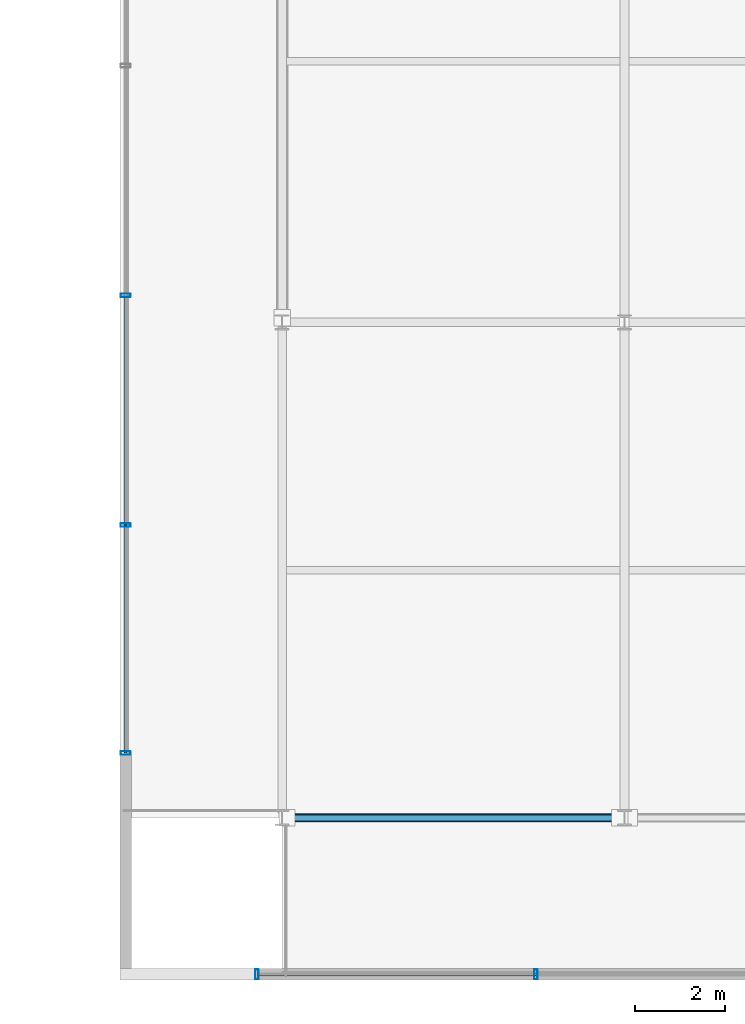
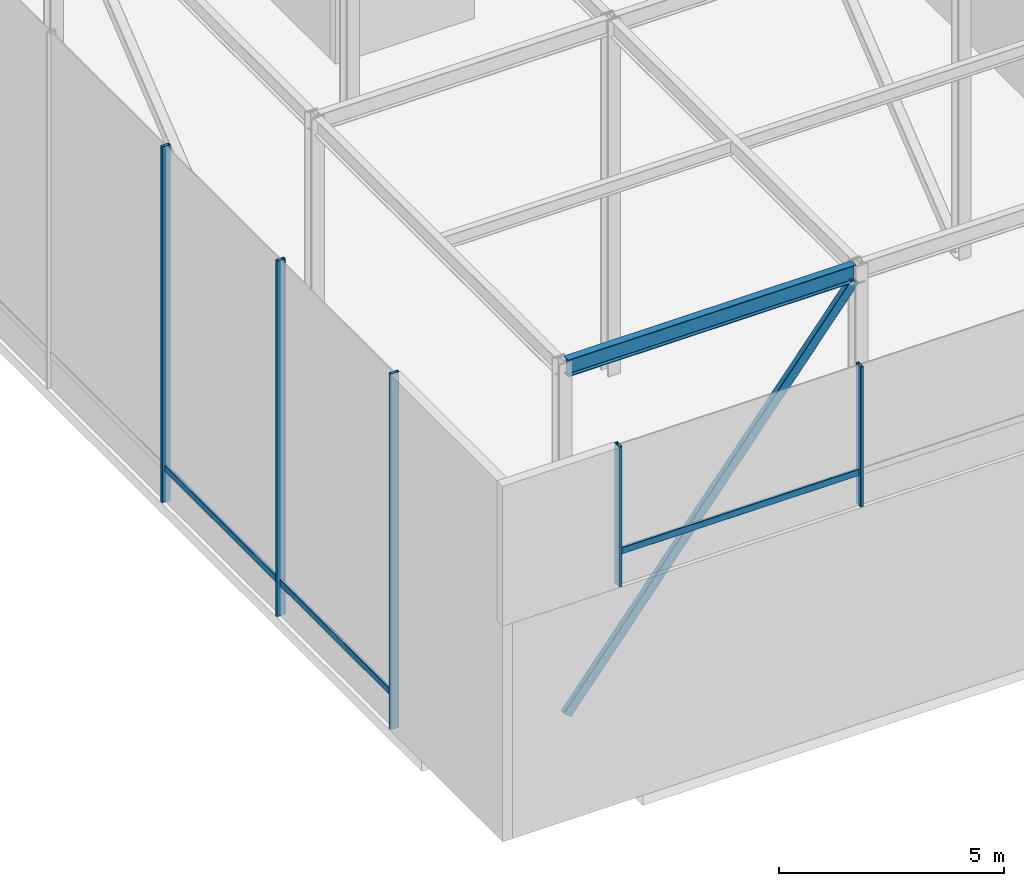
# One storey, part 6 of 42: 9 members, 1 beam, 2 elements without a shape of their own.
"""IFC4 building model written with IfcOpenShell, lengths in metres."""

import ifcopenshell
import ifcopenshell.guid

model = None  # the IFC model being written
_history = None  # IfcOwnerHistory: only IFC2X3 demands one
_inside = {}  # id of a spatial element -> (the spatial element, [elements in it])
_under = {}  # id of a project, library or spatial element -> (it, [spatial elements below it])
_declared = {}  # id of a project -> (the project, [libraries it declares])
_typed = {}  # id of a type object -> (the type object, [elements of that type])
_made_of = {}  # id of a material, layer set ... -> (it, [elements and type objects made of it])


def new_model(schema):
    """Start an empty IFC model of exactly this schema.

    Asked for "IFC4X3", IfcOpenShell would pick the latest addendum, in which some entities
    have other attributes; the version numbers below select the first issue.
    IFC2X3 requires an IfcOwnerHistory on every rooted entity: one is made here for all.
    """
    global model, _history
    if schema == "IFC4X3":
        model = ifcopenshell.file(schema_version=(4, 3, 0, 0))
    else:
        model = ifcopenshell.file(schema=schema)
    _inside.clear()
    _under.clear()
    _declared.clear()
    _typed.clear()
    _made_of.clear()
    _history = None
    if model.schema == "IFC2X3":
        org = make("IfcOrganization", Name="unknown")
        user = make(
            "IfcPersonAndOrganization",
            ThePerson=make("IfcPerson", FamilyName="unknown"),
            TheOrganization=org,
        )
        app = make(
            "IfcApplication",
            ApplicationDeveloper=org,
            Version="unknown",
            ApplicationFullName="unknown",
            ApplicationIdentifier="unknown",
        )
        _history = make(
            "IfcOwnerHistory",
            OwningUser=user,
            OwningApplication=app,
            ChangeAction="ADDED",
            CreationDate=0,
        )
    return model


def make(cls, **values):
    """One entity of the class cls with the attributes given. An attribute that is None is left unset."""
    return model.create_entity(
        cls, **{name: value for name, value in values.items() if value is not None}
    )


def rooted(cls, **values):
    """An entity with a GlobalId (a new one), such as an element, a storey or a relation."""
    return make(cls, GlobalId=ifcopenshell.guid.new(), OwnerHistory=_history, **values)


def si_unit(unit_type, name, prefix=None):
    """IfcSIUnit, for example si_unit("LENGTHUNIT", "METRE", prefix="MILLI")."""
    return make("IfcSIUnit", UnitType=unit_type, Prefix=prefix, Name=name)


def assignment(units):
    """IfcUnitAssignment: the units of a project."""
    return None if units is None else make("IfcUnitAssignment", Units=units)


def point(xyz):
    """IfcCartesianPoint."""
    return None if xyz is None else make("IfcCartesianPoint", Coordinates=xyz)


def direction(xyz):
    """IfcDirection."""
    return None if xyz is None else make("IfcDirection", DirectionRatios=xyz)


def frame(location, z_axis=None, x_axis=None):
    """IfcAxis2Placement3D, a coordinate frame: its origin and axes. An axis left out is left unset."""
    return make(
        "IfcAxis2Placement3D",
        Location=point(location),
        Axis=direction(z_axis),
        RefDirection=direction(x_axis),
    )


def frame_2d(location, x_axis=None):
    """IfcAxis2Placement2D, a coordinate frame in the plane: its origin and x axis."""
    return make(
        "IfcAxis2Placement2D", Location=point(location), RefDirection=direction(x_axis)
    )


def origin():
    """The frame at (0, 0, 0) with its axes left unset."""
    return frame((0.0, 0.0, 0.0))


def origin_2d():
    """The frame at (0, 0) in the plane with its x axis left unset."""
    return frame_2d((0.0, 0.0))


def place(relative_to, where):
    """IfcLocalPlacement: puts the frame where relative to a parent placement (None: the world)."""
    return make(
        "IfcLocalPlacement", PlacementRelTo=relative_to, RelativePlacement=where
    )


def context(
    kind, dimensions, precision=None, world=None, true_north=None, identifier=None
):
    """IfcGeometricRepresentationContext, for example the 3D "Model" context."""
    return make(
        "IfcGeometricRepresentationContext",
        ContextIdentifier=identifier,
        ContextType=kind,
        CoordinateSpaceDimension=dimensions,
        Precision=precision,
        WorldCoordinateSystem=world,
        TrueNorth=true_north,
    )


def subcontext(parent, identifier, kind, view, scale=None):
    """IfcGeometricRepresentationSubContext, for example "Body" below "Model"."""
    return make(
        "IfcGeometricRepresentationSubContext",
        ContextIdentifier=identifier,
        ContextType=kind,
        ParentContext=parent,
        TargetScale=scale,
        TargetView=view,
    )


def project(units=None, contexts=None):
    """IfcProject with its units and contexts."""
    return rooted(
        "IfcProject",
        Name="project",
        RepresentationContexts=contexts,
        UnitsInContext=assignment(units),
    )


def spatial(cls, under=None, at=None, **own):
    """A site, building, storey or space (cls), placed at a placement, below another one or the project."""
    s = rooted(cls, ObjectPlacement=at, **own)
    if under is not None:
        _under.setdefault(under.id(), (under, []))[1].append(s)
    return s


def profile(cls, at=None, kind="AREA", **sizes):
    """A parametric profile (cls). Its sizes go by their IFC names, for example OverallWidth=200.0."""
    return make(cls, ProfileType=kind, Position=at, **sizes)


def hollow_rectangle(**sizes):
    """IfcRectangleHollowProfileDef."""
    return profile("IfcRectangleHollowProfileDef", **sizes)


def i_section(**sizes):
    """IfcIShapeProfileDef."""
    return profile("IfcIShapeProfileDef", **sizes)


def extrude(swept, where, along, depth):
    """IfcExtrudedAreaSolid: the profile swept, set in the frame where, extruded along a direction by depth."""
    return make(
        "IfcExtrudedAreaSolid",
        SweptArea=swept,
        Position=where,
        ExtrudedDirection=direction(along),
        Depth=depth,
    )


def shape(context_of_items, identifier, shape_type, items):
    """IfcShapeRepresentation: the items that make up one representation, for example the "Body"."""
    return make(
        "IfcShapeRepresentation",
        ContextOfItems=context_of_items,
        RepresentationIdentifier=identifier,
        RepresentationType=shape_type,
        Items=items,
    )


def material(Name=None, Category=None):
    """IfcMaterial."""
    return make("IfcMaterial", Name=Name, Category=Category)


def layer(
    of_material, thickness, ventilated=None, Name=None, Category=None, Priority=None
):
    """IfcMaterialLayer: one layer of a wall or slab, of a material (None: an air gap)."""
    return make(
        "IfcMaterialLayer",
        Material=of_material,
        LayerThickness=thickness,
        IsVentilated=ventilated,
        Name=Name,
        Category=Category,
        Priority=Priority,
    )


def layer_set(layers, Name=None):
    """IfcMaterialLayerSet."""
    return make("IfcMaterialLayerSet", MaterialLayers=layers, LayerSetName=Name)


def material_profile(
    of_material, cross_section, Name=None, Category=None, Priority=None
):
    """IfcMaterialProfile: a cross section and its material."""
    return make(
        "IfcMaterialProfile",
        Name=Name,
        Material=of_material,
        Profile=cross_section,
        Priority=Priority,
        Category=Category,
    )


def profile_set(profiles, Name=None, composite=None):
    """IfcMaterialProfileSet."""
    return make(
        "IfcMaterialProfileSet",
        Name=Name,
        MaterialProfiles=profiles,
        CompositeProfile=composite,
    )


def made_of(thing, what):
    """Note that an element or type object is made of a material, layer set ...; save() writes the relation."""
    if what is not None:
        _made_of.setdefault(what.id(), (what, []))[1].append(thing)
    return thing


def type_object(cls, material=None, **own):
    """A type object (cls), such as IfcWallType, which elements share."""
    return made_of(rooted(cls, **own), material)


def element(
    cls,
    number,
    at=None,
    inside=None,
    cuts=None,
    type_object=None,
    material=None,
    context=None,
    identifier="Body",
    shape_type=None,
    held_by="IfcProductDefinitionShape",
    body=None,
    shapes=None,
    **own,
):
    """One element of the class cls, such as IfcWall. Its Tag is "e" and its number.

    at: its placement. inside: the storey or other place that contains it. cuts: it is an
    opening in that element (IfcRelVoidsElement). A single representation is given by context,
    identifier, shape_type and body (its items); several are given by shapes. held_by: the class
    of the entity that holds the representations. save() writes the other relations.
    """
    e = rooted(cls, Tag="e%d" % number, ObjectPlacement=at, **own)
    if body is not None:
        shapes = [shape(context, identifier, shape_type, body)]
    if shapes is not None:
        e.Representation = make(held_by, Representations=shapes)
    if inside is not None:
        _inside.setdefault(inside.id(), (inside, []))[1].append(e)
    if cuts is not None:
        rooted(
            "IfcRelVoidsElement", RelatingBuildingElement=cuts, RelatedOpeningElement=e
        )
    if type_object is not None:
        _typed.setdefault(type_object.id(), (type_object, []))[1].append(e)
    return made_of(e, material)


def aggregate(whole, parts):
    """IfcRelAggregates: a whole, such as a stair, and the parts it consists of."""
    return rooted("IfcRelAggregates", RelatingObject=whole, RelatedObjects=parts)


def save(model, path):
    """Write the relations noted so far, then the file.

    IfcRelAggregates (storeys below a building ...), IfcRelContainedInSpatialStructure (elements
    in a storey), IfcRelDefinesByType, IfcRelAssociatesMaterial and IfcRelDeclares: one each for
    every whole, place, type object, material and project.
    """
    for whole, parts in _under.values():
        aggregate(whole, parts)
    for where, things in _inside.values():
        rooted(
            "IfcRelContainedInSpatialStructure",
            RelatedElements=things,
            RelatingStructure=where,
        )
    for kind, things in _typed.values():
        rooted("IfcRelDefinesByType", RelatedObjects=things, RelatingType=kind)
    for what, things in _made_of.values():
        rooted("IfcRelAssociatesMaterial", RelatedObjects=things, RelatingMaterial=what)
    for by, libraries in _declared.values():
        rooted("IfcRelDeclares", RelatingContext=by, RelatedDefinitions=libraries)
    model.write(path)


model = new_model("IFC4")

# Units and contexts
model_context = context("Model", 3, precision=1e-05, world=origin(), true_north=direction((0.0, 1.0)))
body_context = subcontext(model_context, "Body", "Model", "MODEL_VIEW")
ifc_project = project(units=[si_unit("LENGTHUNIT", "METRE"), si_unit("AREAUNIT", "SQUARE_METRE"), si_unit("VOLUMEUNIT", "CUBIC_METRE"), si_unit("PLANEANGLEUNIT", "RADIAN"), si_unit("MASSUNIT", "GRAM", prefix="KILO")], contexts=[model_context])

# Site, building, storey
site_placement = place(None, origin())
site = spatial("IfcSite", under=ifc_project, at=site_placement, CompositionType="ELEMENT")
building_placement = place(site_placement, origin())
building = spatial("IfcBuilding", under=site, at=building_placement, Name="Korimba Cascade Residences", CompositionType="ELEMENT")
storey_placement = place(building_placement, frame((0.0, 0.0, 207.60009765625)))
storey = spatial("IfcBuildingStorey", under=building, at=storey_placement, Name="L60", CompositionType="ELEMENT", Elevation=207.60009765625)

# Beam
ifc_material_1 = material(Name="Steel S355", Category="steel")
ifc_material_profile_1 = material_profile(ifc_material_1, i_section(OverallWidth=0.19140625, OverallDepth=0.4599609375, WebThickness=0.010009765625, FlangeThickness=0.01611328125, FilletRadius=0.01025390625, at=origin_2d()), Name="Steel S355")
ifc_profile_set_1 = profile_set([ifc_material_profile_1], Name="Steel S355")
beam_type = type_object("IfcBeamType", Name="BM-STL-UB457", PredefinedType="JOIST", material=ifc_profile_set_1)
beam_placement = place(storey_placement, frame((74.60498046875, -4.199951171875, 9.419921875), z_axis=(1.0, 0.0, 0.0), x_axis=(0.0, 1.0, 0.0)))
element("IfcBeam", 1, at=beam_placement, inside=storey, type_object=beam_type, Name="L60 Crown Cap Ring Beam W1.1", PredefinedType="JOIST", context=body_context, shape_type="SweptSolid", body=[
    extrude(i_section(OverallWidth=0.19140625, OverallDepth=0.4599609375, WebThickness=0.010009765625, FlangeThickness=0.01611328125, FilletRadius=0.01025390625, at=origin_2d()), origin(), (0.0, 0.0, 1.0), 7.39013671875),
])

# Curtain wall, members
ifc_material_2 = material(Name="Anodised Aluminium Curtain Wall Framing", Category="aluminium")
ifc_layer = layer(ifc_material_2, 0.179931640625)
ifc_layer_set = layer_set([ifc_layer], Name="Anodised Aluminium Curtain Wall Framing")
curtain_wall_type = type_object("IfcCurtainWallType", Name="CW-CRNE-SYS6", PredefinedType="NOTDEFINED", material=ifc_layer_set)
curtain_wall_1_placement = place(storey_placement, origin())
curtain_wall_1 = element("IfcCurtainWall", 2, at=curtain_wall_1_placement, inside=storey, type_object=curtain_wall_type, Name="L60 Curtain Wall CW-L60-CRN-W-1", PredefinedType="NOTDEFINED")
ifc_material_3 = material(Name="Anodised Aluminium Mullion", Category="aluminium")
ifc_material_profile_2 = material_profile(ifc_material_3, hollow_rectangle(XDim=0.080078125, YDim=0.219970703125, WallThickness=0.00634765625, InnerFilletRadius=0.00634765625, OuterFilletRadius=0.0126953125, at=origin_2d()), Name="Anodised Aluminium Mullion")
ifc_profile_set_2 = profile_set([ifc_material_profile_2], Name="Anodised Aluminium Mullion")
member_type_1 = type_object("IfcMemberType", Name="CWM-MUL-220", PredefinedType="MULLION", material=ifc_profile_set_2)
member_1_placement = place(storey_placement, frame((71.02490234375, -2.760009765625, 0.0), z_axis=(0.0, 0.0, 1.0), x_axis=(0.0, 1.0, 0.0)))
member_1 = element("IfcMember", 3, at=member_1_placement, type_object=member_type_1, Name="CW-L60-CRN-W-1 Mullion 1", PredefinedType="MULLION", context=body_context, shape_type="SweptSolid", body=[
    extrude(hollow_rectangle(XDim=0.080078125, YDim=0.219970703125, WallThickness=0.00634765625, InnerFilletRadius=0.00634765625, OuterFilletRadius=0.0126953125, at=origin_2d()), origin(), (0.0, 0.0, 1.0), 9.64990234375),
])
member_2_placement = place(storey_placement, frame((71.02490234375, 2.300048828125, 0.0), z_axis=(0.0, 0.0, 1.0), x_axis=(0.0, 1.0, 0.0)))
member_2 = element("IfcMember", 4, at=member_2_placement, type_object=member_type_1, Name="CW-L60-CRN-W-1 Mullion 2", PredefinedType="MULLION", context=body_context, shape_type="SweptSolid", body=[
    extrude(hollow_rectangle(XDim=0.080078125, YDim=0.219970703125, WallThickness=0.00634765625, InnerFilletRadius=0.00634765625, OuterFilletRadius=0.0126953125, at=origin_2d()), origin(), (0.0, 0.0, 1.0), 9.64990234375),
])
member_3_placement = place(storey_placement, frame((71.02490234375, 7.39990234375, 0.0), z_axis=(0.0, 0.0, 1.0), x_axis=(0.0, 1.0, 0.0)))
member_3 = element("IfcMember", 5, at=member_3_placement, type_object=member_type_1, Name="CW-L60-CRN-W-1 Mullion 3", PredefinedType="MULLION", context=body_context, shape_type="SweptSolid", body=[
    extrude(hollow_rectangle(XDim=0.080078125, YDim=0.219970703125, WallThickness=0.00634765625, InnerFilletRadius=0.00634765625, OuterFilletRadius=0.0126953125, at=origin_2d()), origin(), (0.0, 0.0, 1.0), 9.64990234375),
])

curtain_wall_2_placement = place(storey_placement, origin())
curtain_wall_2 = element("IfcCurtainWall", 6, at=curtain_wall_2_placement, inside=storey, type_object=curtain_wall_type, Name="L60 Curtain Wall CW-L60-CRN-W-3", PredefinedType="NOTDEFINED")
member_4_placement = place(storey_placement, frame((73.93994140625, -7.675048828125, 5.849853515625), z_axis=(0.0, 0.0, 1.0), x_axis=(1.0, 0.0, 0.0)))
member_4 = element("IfcMember", 7, at=member_4_placement, type_object=member_type_1, Name="CW-L60-CRN-W-3 Mullion 1", PredefinedType="MULLION", context=body_context, shape_type="SweptSolid", body=[
    extrude(hollow_rectangle(XDim=0.080078125, YDim=0.219970703125, WallThickness=0.00634765625, InnerFilletRadius=0.00634765625, OuterFilletRadius=0.0126953125, at=origin_2d()), origin(), (0.0, 0.0, 1.0), 3.800048828125),
])
member_5_placement = place(storey_placement, frame((80.13330078125, -7.675048828125, 5.849853515625), z_axis=(0.0, 0.0, 1.0), x_axis=(1.0, 0.0, 0.0)))
member_5 = element("IfcMember", 8, at=member_5_placement, type_object=member_type_1, Name="CW-L60-CRN-W-3 Mullion 2", PredefinedType="MULLION", context=body_context, shape_type="SweptSolid", body=[
    extrude(hollow_rectangle(XDim=0.080078125, YDim=0.219970703125, WallThickness=0.00634765625, InnerFilletRadius=0.00634765625, OuterFilletRadius=0.0126953125, at=origin_2d()), origin(), (0.0, 0.0, 1.0), 3.800048828125),
])

# Member
ifc_material_4 = material(Name="Anodised Aluminium Transom", Category="aluminium")
ifc_material_profile_3 = material_profile(ifc_material_4, hollow_rectangle(XDim=0.070068359375, YDim=0.179931640625, WallThickness=0.0048828125, InnerFilletRadius=0.0048828125, OuterFilletRadius=0.010009765625, at=origin_2d()), Name="Anodised Aluminium Transom")
ifc_profile_set_3 = profile_set([ifc_material_profile_3], Name="Anodised Aluminium Transom")
member_type_2 = type_object("IfcMemberType", Name="CWM-TRN-150", PredefinedType="USERDEFINED", material=ifc_profile_set_3)
member_6_placement = place(storey_placement, frame((71.02490234375, -2.760009765625, 0.89990234375), z_axis=(0.0, 1.0, 0.0), x_axis=(-1.0, 0.0, 0.0)))
member_6 = element("IfcMember", 9, at=member_6_placement, type_object=member_type_2, Name="CW-L60-CRN-W-1 Transom 1", ObjectType="TRANSOM", PredefinedType="USERDEFINED", context=body_context, shape_type="SweptSolid", body=[
    extrude(hollow_rectangle(XDim=0.070068359375, YDim=0.179931640625, WallThickness=0.0048828125, InnerFilletRadius=0.0048828125, OuterFilletRadius=0.010009765625, at=origin_2d()), origin(), (0.0, 0.0, 1.0), 5.06005859375),
])

member_7_placement = place(storey_placement, frame((71.02490234375, 2.300048828125, 0.89990234375), z_axis=(0.0, 1.0, 0.0), x_axis=(-1.0, 0.0, 0.0)))
member_7 = element("IfcMember", 10, at=member_7_placement, type_object=member_type_2, Name="CW-L60-CRN-W-1 Transom 2", ObjectType="TRANSOM", PredefinedType="USERDEFINED", context=body_context, shape_type="SweptSolid", body=[
    extrude(hollow_rectangle(XDim=0.070068359375, YDim=0.179931640625, WallThickness=0.0048828125, InnerFilletRadius=0.0048828125, OuterFilletRadius=0.010009765625, at=origin_2d()), origin(), (0.0, 0.0, 1.0), 5.099853515625),
])

aggregate(curtain_wall_1, [member_1, member_2, member_3, member_6, member_7])

member_8_placement = place(storey_placement, frame((73.93994140625, -7.675048828125, 6.75), z_axis=(1.0, 0.0, 0.0), x_axis=(0.0, 1.0, 0.0)))
member_8 = element("IfcMember", 11, at=member_8_placement, type_object=member_type_2, Name="CW-L60-CRN-W-3 Transom 1", ObjectType="TRANSOM", PredefinedType="USERDEFINED", context=body_context, shape_type="SweptSolid", body=[
    extrude(hollow_rectangle(XDim=0.070068359375, YDim=0.179931640625, WallThickness=0.0048828125, InnerFilletRadius=0.0048828125, OuterFilletRadius=0.010009765625, at=origin_2d()), origin(), (0.0, 0.0, 1.0), 6.193359375),
])

aggregate(curtain_wall_2, [member_4, member_5, member_8])

ifc_material_profile_4 = material_profile(ifc_material_1, hollow_rectangle(XDim=0.14990234375, YDim=0.25, WallThickness=0.009033203125, InnerFilletRadius=0.009033203125, OuterFilletRadius=0.01806640625, at=origin_2d()), Name="Steel S355")
ifc_profile_set_4 = profile_set([ifc_material_profile_4], Name="Steel S355")
member_type_3 = type_object("IfcMemberType", Name="MEM-CRN-RHS250", PredefinedType="BRACE", material=ifc_profile_set_4)
member_9_placement = place(storey_placement, frame((74.60498046875, -4.199951171875, 0.0), z_axis=(0.626424790047, 0.0, 0.779481867919), x_axis=(0.0, 1.0, 0.0)))
element("IfcMember", 12, at=member_9_placement, inside=storey, type_object=member_type_3, Name="L60 CROWN FRAME Diagonal Brace W1.1", PredefinedType="BRACE", context=body_context, shape_type="SweptSolid", body=[
    extrude(hollow_rectangle(XDim=0.14990234375, YDim=0.25, WallThickness=0.009033203125, InnerFilletRadius=0.009033203125, OuterFilletRadius=0.01806640625, at=origin_2d()), origin(), (0.0, 0.0, 1.0), 11.79736328125),
])

save(model, "model.ifc")
